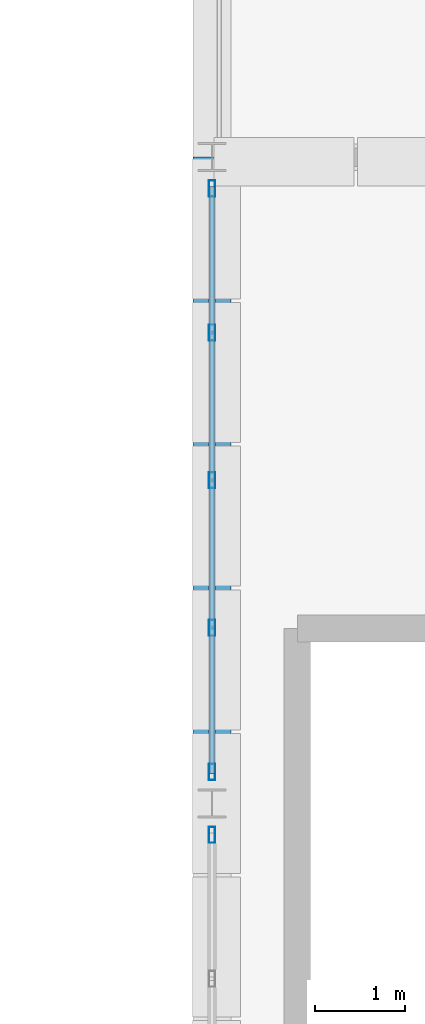
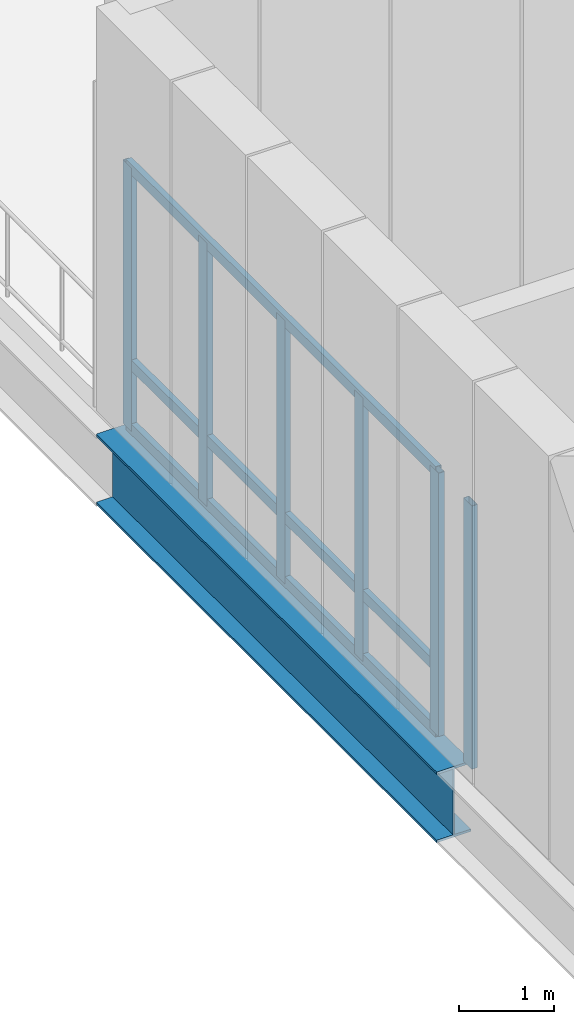
# One storey, part 10 of 47: 9 members, 1 beam, 2 elements without a shape of their own.
"""IFC4 building model written with IfcOpenShell, lengths in metres."""

from ifc_helpers import new_model, si_unit, direction, frame, origin, origin_2d, place, context, subcontext, project, spatial, hollow_rectangle, i_section, extrude, material, material_profile, profile_set, type_object, element, aggregate, save


model = new_model("IFC4")

# Units and contexts
model_context = context("Model", 3, precision=1e-05, world=origin(), true_north=direction((0.0, 1.0)))
body_context = subcontext(model_context, "Body", "Model", "MODEL_VIEW")
ifc_project = project(units=[si_unit("LENGTHUNIT", "METRE"), si_unit("AREAUNIT", "SQUARE_METRE"), si_unit("VOLUMEUNIT", "CUBIC_METRE"), si_unit("PLANEANGLEUNIT", "RADIAN"), si_unit("MASSUNIT", "GRAM", prefix="KILO")], contexts=[model_context])

# Site, building, storey
site_placement = place(None, origin())
site = spatial("IfcSite", under=ifc_project, at=site_placement, CompositionType="ELEMENT")
building_placement = place(site_placement, origin())
building = spatial("IfcBuilding", under=site, at=building_placement, Name="Yarey Park Central Fire Station", CompositionType="ELEMENT")
storey_placement = place(building_placement, frame((0.0, 0.0, 18.0)))
storey = spatial("IfcBuildingStorey", under=building, at=storey_placement, Name="L05", CompositionType="ELEMENT", Elevation=18.0)

# Curtain wall, member
ifc_material_1 = material(Name="Anodized Aluminium Frame", Category="aluminium")
curtain_wall_type = type_object("IfcCurtainWallType", Name="ENV_CW_V3_PAV", PredefinedType="NOTDEFINED", material=ifc_material_1)
curtain_wall_1_placement = place(storey_placement, origin())
curtain_wall_1 = element("IfcCurtainWall", 1, at=curtain_wall_1_placement, inside=storey, type_object=curtain_wall_type, Name="CW_L05_V3_W_083", PredefinedType="NOTDEFINED")
ifc_material_profile_1 = material_profile(ifc_material_1, hollow_rectangle(XDim=0.070068359375, YDim=0.179931640625, WallThickness=0.00390625, at=origin_2d()), Name="ALU 180x70x4")
ifc_profile_set_1 = profile_set([ifc_material_profile_1], Name="Anodized Aluminium Frame")
member_type_1 = type_object("IfcMemberType", Name="ENV_CW_MULLION", PredefinedType="MULLION", material=ifc_profile_set_1)
member_1_placement = place(storey_placement, frame((28.800048828125, 64.449951171875, 0.0), z_axis=(0.0, 0.0, 1.0), x_axis=(1.0, 0.0, 0.0)))
member_1 = element("IfcMember", 2, at=member_1_placement, type_object=member_type_1, Name="CW_L05_V3_W_083_MUL1", PredefinedType="MULLION", context=body_context, shape_type="SweptSolid", body=[
    extrude(hollow_rectangle(XDim=0.070068359375, YDim=0.179931640625, WallThickness=0.00390625, at=origin_2d()), origin(), (0.0, 0.0, 1.0), 3.39990234375),
])
aggregate(curtain_wall_1, [member_1])

# Curtain wall, members
curtain_wall_2_placement = place(storey_placement, origin())
curtain_wall_2 = element("IfcCurtainWall", 3, at=curtain_wall_2_placement, inside=storey, type_object=curtain_wall_type, Name="CW_L05_V3_W_085", PredefinedType="NOTDEFINED")
member_2_placement = place(storey_placement, frame((28.800048828125, 71.64990234375, 0.0), z_axis=(0.0, 0.0, 1.0), x_axis=(1.0, 0.0, 0.0)))
member_2 = element("IfcMember", 4, at=member_2_placement, type_object=member_type_1, Name="CW_L05_V3_W_085_MUL1", PredefinedType="MULLION", context=body_context, shape_type="SweptSolid", body=[
    extrude(hollow_rectangle(XDim=0.070068359375, YDim=0.179931640625, WallThickness=0.00390625, at=origin_2d()), origin(), (0.0, 0.0, 1.0), 3.39990234375),
])
member_3_placement = place(storey_placement, frame((28.800048828125, 70.044921875, 0.0), z_axis=(0.0, 0.0, 1.0), x_axis=(1.0, 0.0, 0.0)))
member_3 = element("IfcMember", 5, at=member_3_placement, type_object=member_type_1, Name="CW_L05_V3_W_085_MUL2", PredefinedType="MULLION", context=body_context, shape_type="SweptSolid", body=[
    extrude(hollow_rectangle(XDim=0.070068359375, YDim=0.179931640625, WallThickness=0.00390625, at=origin_2d()), origin(), (0.0, 0.0, 1.0), 3.39990234375),
])
member_4_placement = place(storey_placement, frame((28.800048828125, 68.39990234375, 0.0), z_axis=(0.0, 0.0, 1.0), x_axis=(1.0, 0.0, 0.0)))
member_4 = element("IfcMember", 6, at=member_4_placement, type_object=member_type_1, Name="CW_L05_V3_W_085_MUL3", PredefinedType="MULLION", context=body_context, shape_type="SweptSolid", body=[
    extrude(hollow_rectangle(XDim=0.070068359375, YDim=0.179931640625, WallThickness=0.00390625, at=origin_2d()), origin(), (0.0, 0.0, 1.0), 3.39990234375),
])
member_5_placement = place(storey_placement, frame((28.800048828125, 66.7548828125, 0.0), z_axis=(0.0, 0.0, 1.0), x_axis=(1.0, 0.0, 0.0)))
member_5 = element("IfcMember", 7, at=member_5_placement, type_object=member_type_1, Name="CW_L05_V3_W_085_MUL4", PredefinedType="MULLION", context=body_context, shape_type="SweptSolid", body=[
    extrude(hollow_rectangle(XDim=0.070068359375, YDim=0.179931640625, WallThickness=0.00390625, at=origin_2d()), origin(), (0.0, 0.0, 1.0), 3.39990234375),
])
member_6_placement = place(storey_placement, frame((28.800048828125, 65.14990234375, 0.0), z_axis=(0.0, 0.0, 1.0), x_axis=(1.0, 0.0, 0.0)))
member_6 = element("IfcMember", 8, at=member_6_placement, type_object=member_type_1, Name="CW_L05_V3_W_085_MUL5", PredefinedType="MULLION", context=body_context, shape_type="SweptSolid", body=[
    extrude(hollow_rectangle(XDim=0.070068359375, YDim=0.179931640625, WallThickness=0.00390625, at=origin_2d()), origin(), (0.0, 0.0, 1.0), 3.39990234375),
])
ifc_material_profile_2 = material_profile(ifc_material_1, hollow_rectangle(XDim=0.070068359375, YDim=0.139892578125, WallThickness=0.00390625, at=origin_2d()), Name="ALU 140x70x4")
ifc_profile_set_2 = profile_set([ifc_material_profile_2], Name="Anodized Aluminium Frame")
member_type_2 = type_object("IfcMemberType", Name="ENV_CW_TRANSOM", PredefinedType="USERDEFINED", material=ifc_profile_set_2)
member_7_placement = place(storey_placement, frame((28.800048828125, 71.675048828125, 0.02490234375), z_axis=(0.0, -1.0, 0.0), x_axis=(1.0, 0.0, 0.0)))
member_7 = element("IfcMember", 9, at=member_7_placement, type_object=member_type_2, Name="CW_L05_V3_W_085_TRN1", ObjectType="TRANSOM", PredefinedType="USERDEFINED", context=body_context, shape_type="SweptSolid", body=[
    extrude(hollow_rectangle(XDim=0.070068359375, YDim=0.139892578125, WallThickness=0.00390625, at=origin_2d()), origin(), (0.0, 0.0, 1.0), 6.550048828125),
])
member_8_placement = place(storey_placement, frame((28.800048828125, 71.675048828125, 0.85009765625), z_axis=(0.0, -1.0, 0.0), x_axis=(1.0, 0.0, 0.0)))
member_8 = element("IfcMember", 10, at=member_8_placement, type_object=member_type_2, Name="CW_L05_V3_W_085_TRN2", ObjectType="TRANSOM", PredefinedType="USERDEFINED", context=body_context, shape_type="SweptSolid", body=[
    extrude(hollow_rectangle(XDim=0.070068359375, YDim=0.139892578125, WallThickness=0.00390625, at=origin_2d()), origin(), (0.0, 0.0, 1.0), 6.550048828125),
])
member_9_placement = place(storey_placement, frame((28.800048828125, 71.675048828125, 3.375), z_axis=(0.0, -1.0, 0.0), x_axis=(1.0, 0.0, 0.0)))
member_9 = element("IfcMember", 11, at=member_9_placement, type_object=member_type_2, Name="CW_L05_V3_W_085_TRN3", ObjectType="TRANSOM", PredefinedType="USERDEFINED", context=body_context, shape_type="SweptSolid", body=[
    extrude(hollow_rectangle(XDim=0.070068359375, YDim=0.139892578125, WallThickness=0.00390625, at=origin_2d()), origin(), (0.0, 0.0, 1.0), 6.550048828125),
])
aggregate(curtain_wall_2, [member_2, member_3, member_4, member_5, member_6, member_7, member_8, member_9])

# Beam
ifc_material_2 = material(Name="Steel ASTM A992 Gr. 50", Category="steel")
ifc_material_profile_3 = material_profile(ifc_material_2, i_section(OverallWidth=0.41796875, OverallDepth=0.912109375, WebThickness=0.019287109375, FlangeThickness=0.031982421875, at=origin_2d()), Name="W920x342")
ifc_profile_set_3 = profile_set([ifc_material_profile_3], Name="Steel ASTM A992 Gr. 50")
beam_type = type_object("IfcBeamType", Name="STR_BM_W920E", PredefinedType="BEAM", material=ifc_profile_set_3)
beam_placement = place(storey_placement, frame((28.800048828125, 64.800048828125, -0.696044921875), z_axis=(0.0, 1.0, 0.0), x_axis=(-1.0, 0.0, 0.0)))
element("IfcBeam", 12, at=beam_placement, inside=storey, type_object=beam_type, Name="Transfer Truss TT1 L05 CH2", PredefinedType="BEAM", context=body_context, shape_type="SweptSolid", body=[
    extrude(i_section(OverallWidth=0.41796875, OverallDepth=0.912109375, WebThickness=0.019287109375, FlangeThickness=0.031982421875, at=origin_2d()), origin(), (0.0, 0.0, 1.0), 7.199951171875),
])

save(model, "model.ifc")
